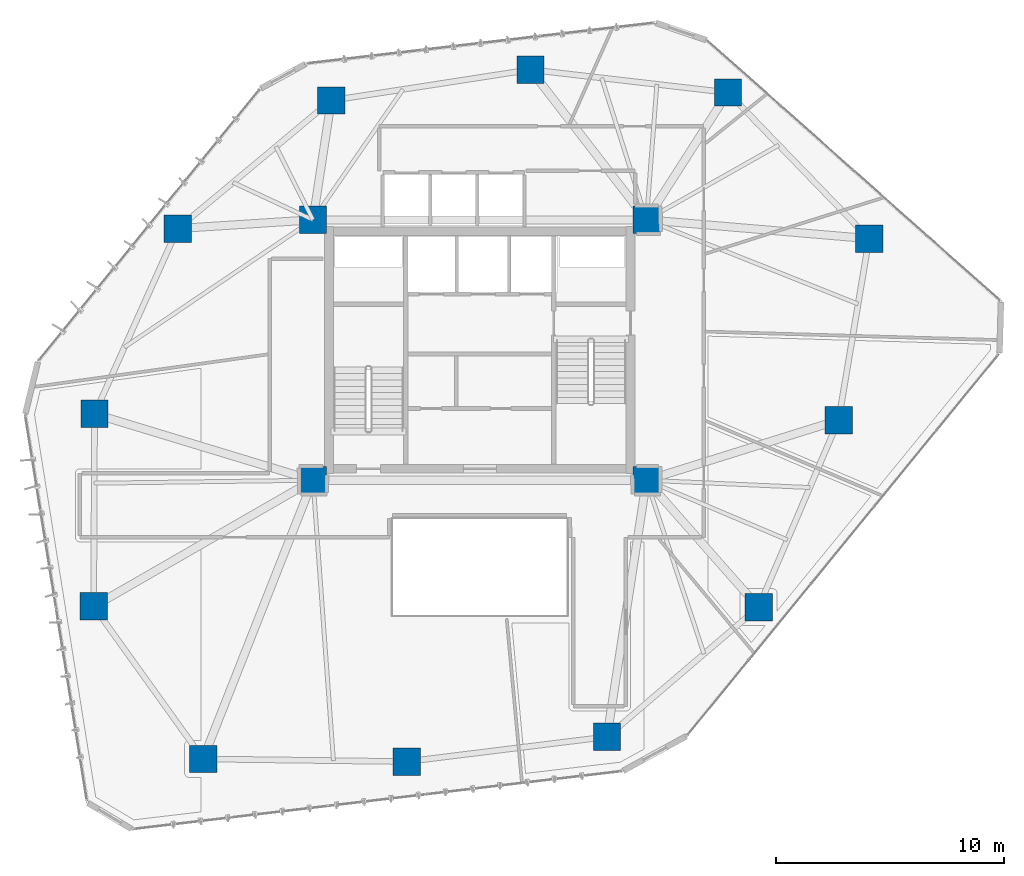
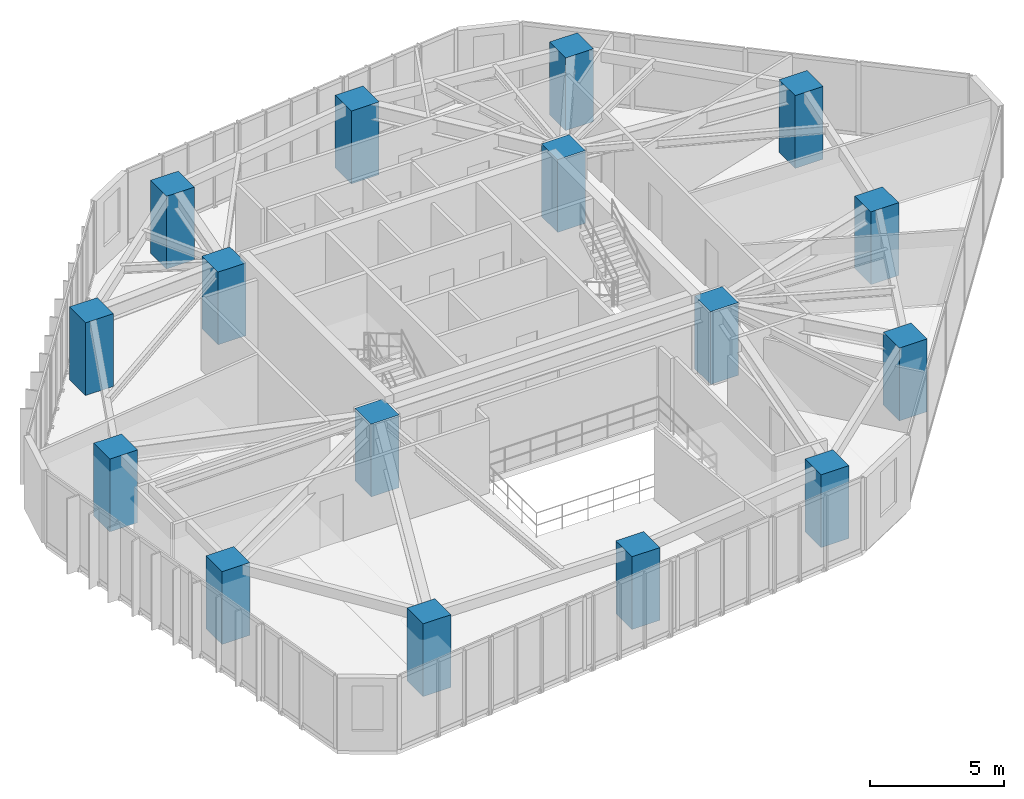
# One storey, part 1 of 24: 16 columns.
"""IFC4 building model written with IfcOpenShell, lengths in metres."""

from ifc_helpers import new_model, si_unit, direction, frame, origin, origin_2d, place, context, subcontext, project, spatial, rectangle, extrude, material, material_profile, profile_set, type_object, element, save


model = new_model("IFC4")

# Units and contexts
model_context = context("Model", 3, precision=1e-05, world=origin(), true_north=direction((0.0, 1.0)))
body_context = subcontext(model_context, "Body", "Model", "MODEL_VIEW")
ifc_project = project(units=[si_unit("LENGTHUNIT", "METRE"), si_unit("AREAUNIT", "SQUARE_METRE"), si_unit("VOLUMEUNIT", "CUBIC_METRE"), si_unit("PLANEANGLEUNIT", "RADIAN"), si_unit("MASSUNIT", "GRAM", prefix="KILO")], contexts=[model_context])

# Site, building, storey
site_placement = place(None, origin())
site = spatial("IfcSite", under=ifc_project, at=site_placement, CompositionType="ELEMENT")
building_placement = place(site_placement, origin())
building = spatial("IfcBuilding", under=site, at=building_placement, Name="Talar Marvaseh", CompositionType="ELEMENT")
storey_placement = place(building_placement, frame((0.0, 0.0, 111.0)))
storey = spatial("IfcBuildingStorey", under=building, at=storey_placement, Name="L28", CompositionType="ELEMENT", Elevation=111.0)

# Columns
ifc_material = material(Name="Concrete C60/75", Category="concrete")
ifc_material_profile = material_profile(ifc_material, rectangle(XDim=1.199951171875, YDim=1.199951171875, at=origin_2d()), Name="RC1200x1200")
ifc_profile_set = profile_set([ifc_material_profile], Name="Concrete C60/75")
column_type = type_object("IfcColumnType", Name="Zone 2 Tube Column RC1200x1200", PredefinedType="COLUMN", material=ifc_profile_set)
for number, where, z_axis, x_axis, name in (
    (1, (36.865966796875, 42.470947265625, 0.0), (0.0, 0.0, 1.0), (1.0, 0.0, 0.0), "L28 Zone 2 Tube Column RC1200x1200"),
    (2, (43.0439453125, 36.075927734375, 0.0), (0.0, 0.0, 1.0), (1.0, 0.0, 0.0), "L28 Zone 2 Tube Column RC1200x1200"),
    (3, (41.708984375, 28.1279296875, 0.0), (0.0, 0.0, 1.0), (1.0, 0.0, 0.0), "L28 Zone 2 Tube Column RC1200x1200"),
    (4, (38.2060546875, 19.94091796875, 0.0), (0.0, 0.0, 1.0), (1.0, 0.0, 0.0), "L28 Zone 2 Tube Column RC1200x1200"),
    (5, (31.570068359375, 14.26806640625, 0.0), (0.0, 0.0, 1.0), (1.0, 0.0, 0.0), "L28 Zone 2 Tube Column RC1200x1200"),
    (6, (22.804931640625, 13.18310546875, 0.0), (0.0, 0.0, 1.0), (1.0, 0.0, 0.0), "L28 Zone 2 Tube Column RC1200x1200"),
    (7, (13.89111328125, 13.299072265625, 0.0), (0.0, 0.0, 1.0), (1.0, 0.0, 0.0), "L28 Zone 2 Tube Column RC1200x1200"),
    (8, (9.10107421875, 19.97705078125, 0.0), (0.0, 0.0, 1.0), (1.0, 0.0, 0.0), "L28 Zone 2 Tube Column RC1200x1200"),
    (9, (9.137939453125, 28.402099609375, 0.0), (0.0, 0.0, 1.0), (1.0, 0.0, 0.0), "L28 Zone 2 Tube Column RC1200x1200"),
    (10, (12.780029296875, 36.51708984375, 0.0), (0.0, 0.0, 1.0), (1.0, 0.0, 0.0), "L28 Zone 2 Tube Column RC1200x1200"),
    (11, (19.5009765625, 42.123046875, 0.0), (0.0, 0.0, 1.0), (1.0, 0.0, 0.0), "L28 Zone 2 Tube Column RC1200x1200"),
    (12, (28.221923828125, 43.471923828125, 0.0), (0.0, 0.0, 1.0), (1.0, 0.0, 0.0), "L28 Zone 2 Tube Column RC1200x1200"),
    (13, (18.699951171875, 25.5, 0.0), (0.0, 0.0, 1.0), (1.0, 0.0, 0.0), "L28 Zone 2 Tube Column RC1200x1200"),
    (14, (33.300048828125, 25.5, 0.0), (0.0, 0.0, 1.0), (1.0, 0.0, 0.0), "L28 Zone 2 Tube Column RC1200x1200"),
    (15, (33.300048828125, 36.89990234375, 0.0), (0.0, 0.0, 1.0), (1.0, 0.0, 0.0), "L28 Zone 2 Tube Column RC1200x1200"),
    (16, (18.699951171875, 36.89990234375, 0.0), (0.0, 0.0, 1.0), (1.0, 0.0, 0.0), "L28 Zone 2 Tube Column RC1200x1200"),
):
    element("IfcColumn", number, at=place(storey_placement, frame(where, z_axis=z_axis, x_axis=x_axis)), inside=storey, type_object=column_type, Name=name, PredefinedType="COLUMN", context=body_context, shape_type="SweptSolid", body=[
        extrude(rectangle(XDim=1.199951171875, YDim=1.199951171875, at=origin_2d()), origin(), (0.0, 0.0, 1.0), 3.31005859375),
    ])

save(model, "model.ifc")
